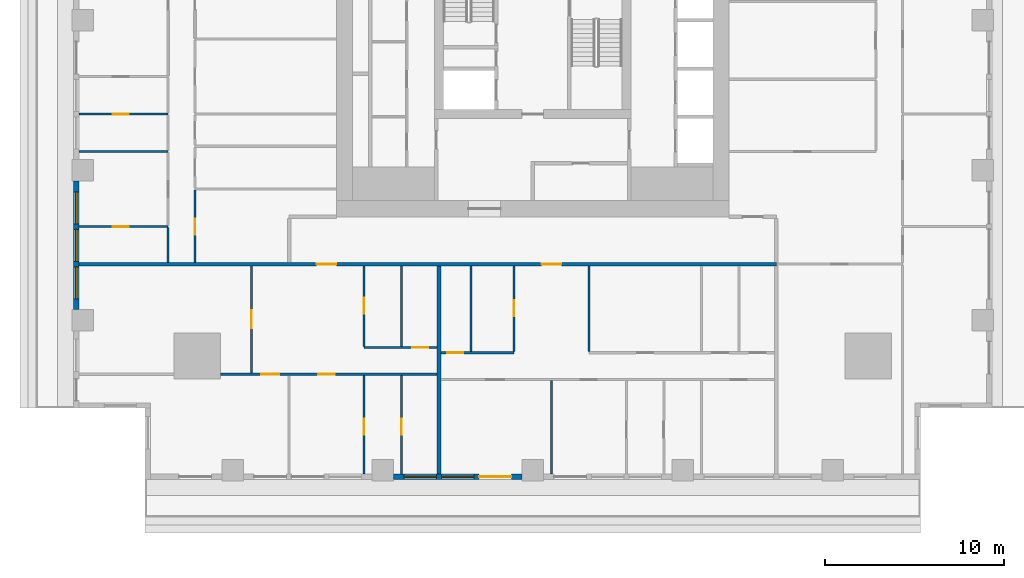
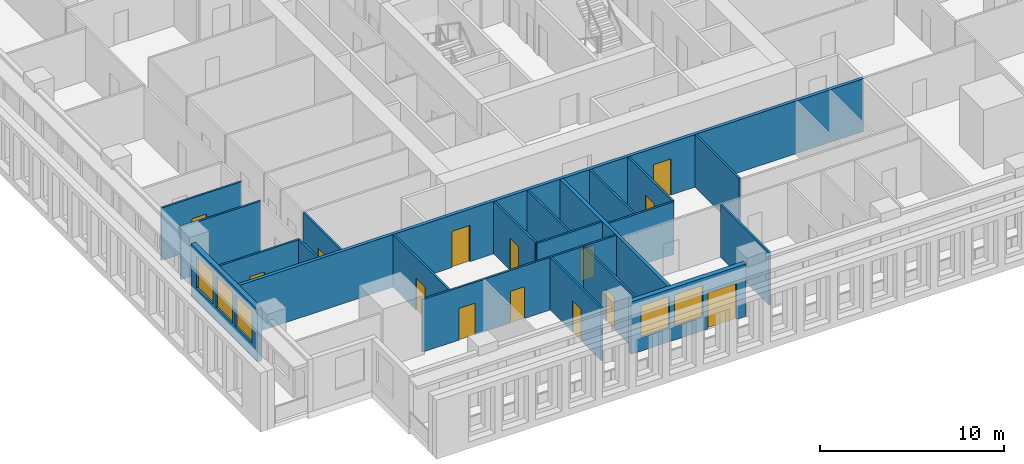
# One storey, part 2 of 16: 21 walls, 15 doors, 5 windows, 20 openings.
"""IFC4 building model written with IfcOpenShell, lengths in metres."""

from ifc_helpers import new_model, si_unit, direction, frame, frame_2d, origin, place, context, subcontext, project, spatial, rectangle, extrude, material, layer, layer_set, type_object, element, fill, save


model = new_model("IFC4")

# Units and contexts
model_context = context("Model", 3, precision=1e-05, world=origin(), true_north=direction((0.0, 1.0)))
body_context = subcontext(model_context, "Body", "Model", "MODEL_VIEW")
ifc_project = project(units=[si_unit("LENGTHUNIT", "METRE"), si_unit("AREAUNIT", "SQUARE_METRE"), si_unit("VOLUMEUNIT", "CUBIC_METRE"), si_unit("PLANEANGLEUNIT", "RADIAN"), si_unit("MASSUNIT", "GRAM", prefix="KILO")], contexts=[model_context])

# Site, building, storey
site_placement = place(None, origin())
site = spatial("IfcSite", under=ifc_project, at=site_placement, CompositionType="ELEMENT")
building_placement = place(site_placement, origin())
building = spatial("IfcBuilding", under=site, at=building_placement, Name="Khepri Terraces", CompositionType="ELEMENT")
storey_placement = place(building_placement, frame((0.0, 0.0, 137.699951171875)))
storey = spatial("IfcBuildingStorey", under=building, at=storey_placement, Name="L32", CompositionType="ELEMENT", Elevation=137.699951171875)

# Wall
ifc_material_1 = material(Name="Fire-rated gypsum plasterboard partition, mineral wool")
ifc_layer_1 = layer(ifc_material_1, 0.199951171875, Name="Fire-rated gypsum plasterboard partition, mineral wool")
ifc_layer_set_1 = layer_set([ifc_layer_1], Name="Fire-rated gypsum plasterboard partition, mineral wool")
wall_type_1 = type_object("IfcWallType", Name="WL-CORR-200", PredefinedType="PARTITIONING", material=ifc_layer_set_1)
wall_1_placement = place(storey_placement, frame((-5.25, -25.419921875, 0.0), z_axis=(0.0, 0.0, 1.0), x_axis=(0.0, 1.0, 0.0)))
element("IfcWall", 1, at=wall_1_placement, inside=storey, type_object=wall_type_1, Name="Partition P-004 L32", PredefinedType="PARTITIONING", context=body_context, shape_type="SweptSolid", body=[
    extrude(rectangle(XDim=11.669921875, YDim=0.199951171875, at=frame_2d((5.8349609375, 0.0))), origin(), (0.0, 0.0, 1.0), 3.47998046875),
])

# Wall, openings, doors
wall_2_placement = place(storey_placement, frame((-25.419921875, -13.64990234375, 0.0), z_axis=(0.0, 0.0, 1.0), x_axis=(1.0, 0.0, 0.0)))
wall_2 = element("IfcWall", 2, at=wall_2_placement, inside=storey, type_object=wall_type_1, Name="Partition P-025 L32", PredefinedType="PARTITIONING", context=body_context, shape_type="SweptSolid", body=[
    extrude(rectangle(XDim=39.06982421875, YDim=0.199951171875, at=frame_2d((19.534912109375, 0.0))), origin(), (0.0, 0.0, 1.0), 3.47998046875),
])
opening_1_placement = place(wall_2_placement, frame((13.320068359375, 0.0, 0.0)))
opening_1 = element("IfcOpeningElement", 3, at=opening_1_placement, cuts=wall_2, Name="Opening D1", PredefinedType="OPENING", context=body_context, shape_type="SweptSolid", body=[
    extrude(rectangle(XDim=1.10009765625, YDim=2.39990234375, at=frame_2d((0.550048828125, 1.199951171875))), frame((0.0, 0.10986328125, 0.0), z_axis=(0.0, -1.0, 0.0), x_axis=(1.0, 0.0, 0.0)), (0.0, 0.0, 1.0), 0.219970703125),
])
opening_2_placement = place(wall_2_placement, frame((25.919921875, 0.0, 0.0)))
opening_2 = element("IfcOpeningElement", 4, at=opening_2_placement, cuts=wall_2, Name="Opening D1", PredefinedType="OPENING", context=body_context, shape_type="SweptSolid", body=[
    extrude(rectangle(XDim=1.10009765625, YDim=2.39990234375, at=frame_2d((0.550048828125, 1.199951171875))), frame((0.0, 0.10986328125, 0.0), z_axis=(0.0, -1.0, 0.0), x_axis=(1.0, 0.0, 0.0)), (0.0, 0.0, 1.0), 0.219970703125),
])
ifc_material_2 = material(Name="Solid-core timber door leaf, flat entrance door", Category="wood")
door_type_1 = type_object("IfcDoorType", Name="DR-ENT-1100", OperationType="NOTDEFINED", PredefinedType="DOOR", material=ifc_material_2)
door_1_placement = place(opening_1_placement, frame((1.10009765625, 0.0, 0.0), z_axis=(0.0, 0.0, 1.0), x_axis=(-1.0, 0.0, 0.0)))
door_1 = element("IfcDoor", 5, at=door_1_placement, inside=storey, type_object=door_type_1, Name="Flat A1 entrance door", OperationType="SINGLE_SWING_RIGHT", OverallHeight=2.39990234375, OverallWidth=1.10009765625, PredefinedType="DOOR", context=body_context, shape_type="SweptSolid", body=[
    extrude(rectangle(XDim=1.10009765625, YDim=2.39990234375, at=frame_2d((0.550048828125, 1.199951171875))), frame((0.0, 0.02490234375, 0.0), z_axis=(0.0, -1.0, 0.0), x_axis=(1.0, 0.0, 0.0)), (0.0, 0.0, 1.0), 0.050048828125),
])
fill(opening_1, door_1)
door_2_placement = place(opening_2_placement, frame((1.10009765625, 0.0, 0.0), z_axis=(0.0, 0.0, 1.0), x_axis=(-1.0, 0.0, 0.0)))
door_2 = element("IfcDoor", 6, at=door_2_placement, inside=storey, type_object=door_type_1, Name="Flat A2 entrance door", OperationType="SINGLE_SWING_LEFT", OverallHeight=2.39990234375, OverallWidth=1.10009765625, PredefinedType="DOOR", context=body_context, shape_type="SweptSolid", body=[
    extrude(rectangle(XDim=1.10009765625, YDim=2.39990234375, at=frame_2d((0.550048828125, 1.199951171875))), frame((0.0, 0.02490234375, 0.0), z_axis=(0.0, -1.0, 0.0), x_axis=(1.0, 0.0, 0.0)), (0.0, 0.0, 1.0), 0.050048828125),
])
fill(opening_2, door_2)

# Wall, openings, windows
ifc_material_3 = material(Name="Precast concrete C50/60 warm stone", Category="masonry")
ifc_layer_2 = layer(ifc_material_3, 0.300048828125, Name="Precast concrete C50/60 warm stone", Category="masonry")
ifc_layer_set_2 = layer_set([ifc_layer_2], Name="Precast concrete C50/60 warm stone")
wall_type_2 = type_object("IfcWallType", Name="WL-EXT-PRECAST-300", PredefinedType="STANDARD", material=ifc_layer_set_2)
wall_3_placement = place(storey_placement, frame((-25.570068359375, -9.0, 0.0), z_axis=(0.0, 0.0, 1.0), x_axis=(0.0, -1.0, 0.0)))
wall_3 = element("IfcWall", 7, at=wall_3_placement, inside=storey, type_object=wall_type_2, Name="External wall L32 W", PredefinedType="STANDARD", context=body_context, shape_type="SweptSolid", body=[
    extrude(rectangle(XDim=7.199951171875, YDim=0.300048828125, at=frame_2d((3.60009765625, 0.0))), origin(), (0.0, 0.0, 1.0), 3.47998046875),
])
opening_3_placement = place(wall_3_placement, frame((0.60009765625, 0.0, 0.89990234375)))
opening_3 = element("IfcOpeningElement", 8, at=opening_3_placement, cuts=wall_3, Name="Opening W1", PredefinedType="OPENING", context=body_context, shape_type="SweptSolid", body=[
    extrude(rectangle(XDim=1.800048828125, YDim=2.10009765625, at=frame_2d((0.89990234375, 1.050048828125))), frame((0.0, 0.16015625, 0.0), z_axis=(0.0, -1.0, 0.0), x_axis=(1.0, 0.0, 0.0)), (0.0, 0.0, 1.0), 0.320068359375),
])
opening_4_placement = place(wall_3_placement, frame((2.699951171875, 0.0, 0.89990234375)))
opening_4 = element("IfcOpeningElement", 9, at=opening_4_placement, cuts=wall_3, Name="Opening W1", PredefinedType="OPENING", context=body_context, shape_type="SweptSolid", body=[
    extrude(rectangle(XDim=1.800048828125, YDim=2.10009765625, at=frame_2d((0.89990234375, 1.050048828125))), frame((0.0, 0.16015625, 0.0), z_axis=(0.0, -1.0, 0.0), x_axis=(1.0, 0.0, 0.0)), (0.0, 0.0, 1.0), 0.320068359375),
])
opening_5_placement = place(wall_3_placement, frame((4.800048828125, 0.0, 0.89990234375)))
opening_5 = element("IfcOpeningElement", 10, at=opening_5_placement, cuts=wall_3, Name="Opening W1", PredefinedType="OPENING", context=body_context, shape_type="SweptSolid", body=[
    extrude(rectangle(XDim=1.800048828125, YDim=2.10009765625, at=frame_2d((0.89990234375, 1.050048828125))), frame((0.0, 0.16015625, 0.0), z_axis=(0.0, -1.0, 0.0), x_axis=(1.0, 0.0, 0.0)), (0.0, 0.0, 1.0), 0.320068359375),
])
ifc_material_4 = material(Name="Clear glass", Category="glass")
window_type = type_object("IfcWindowType", Name="WIN-RES-1800x2100", PartitioningType="SINGLE_PANEL", PredefinedType="WINDOW", material=ifc_material_4)
window_1_placement = place(opening_3_placement, origin())
window_1 = element("IfcWindow", 11, at=window_1_placement, inside=storey, type_object=window_type, Name="Window L32 W", OverallHeight=2.10009765625, OverallWidth=1.800048828125, PartitioningType="SINGLE_PANEL", PredefinedType="WINDOW", context=body_context, shape_type="SweptSolid", body=[
    extrude(rectangle(XDim=1.800048828125, YDim=2.10009765625, at=frame_2d((0.89990234375, 1.050048828125))), frame((0.0, 0.030029296875, 0.0), z_axis=(0.0, -1.0, 0.0), x_axis=(1.0, 0.0, 0.0)), (0.0, 0.0, 1.0), 0.06005859375),
])
fill(opening_3, window_1)
window_2_placement = place(opening_4_placement, origin())
window_2 = element("IfcWindow", 12, at=window_2_placement, inside=storey, type_object=window_type, Name="Window L32 W", OverallHeight=2.10009765625, OverallWidth=1.800048828125, PartitioningType="SINGLE_PANEL", PredefinedType="WINDOW", context=body_context, shape_type="SweptSolid", body=[
    extrude(rectangle(XDim=1.800048828125, YDim=2.10009765625, at=frame_2d((0.89990234375, 1.050048828125))), frame((0.0, 0.030029296875, 0.0), z_axis=(0.0, -1.0, 0.0), x_axis=(1.0, 0.0, 0.0)), (0.0, 0.0, 1.0), 0.06005859375),
])
fill(opening_4, window_2)
window_3_placement = place(opening_5_placement, origin())
window_3 = element("IfcWindow", 13, at=window_3_placement, inside=storey, type_object=window_type, Name="Window L32 W", OverallHeight=2.10009765625, OverallWidth=1.800048828125, PartitioningType="SINGLE_PANEL", PredefinedType="WINDOW", context=body_context, shape_type="SweptSolid", body=[
    extrude(rectangle(XDim=1.800048828125, YDim=2.10009765625, at=frame_2d((0.89990234375, 1.050048828125))), frame((0.0, 0.030029296875, 0.0), z_axis=(0.0, -1.0, 0.0), x_axis=(1.0, 0.0, 0.0)), (0.0, 0.0, 1.0), 0.06005859375),
])
fill(opening_5, window_3)

# Wall, openings, door, windows
wall_4_placement = place(storey_placement, frame((-7.800048828125, -25.570068359375, 0.0), z_axis=(0.0, 0.0, 1.0), x_axis=(1.0, 0.0, 0.0)))
wall_4 = element("IfcWall", 14, at=wall_4_placement, inside=storey, type_object=wall_type_2, Name="External wall L32 S", PredefinedType="STANDARD", context=body_context, shape_type="SweptSolid", body=[
    extrude(rectangle(XDim=7.199951171875, YDim=0.300048828125, at=frame_2d((3.60009765625, 0.0))), origin(), (0.0, 0.0, 1.0), 3.47998046875),
])
opening_6_placement = place(wall_4_placement, frame((0.60009765625, 0.0, 0.89990234375)))
opening_6 = element("IfcOpeningElement", 15, at=opening_6_placement, cuts=wall_4, Name="Opening W1", PredefinedType="OPENING", context=body_context, shape_type="SweptSolid", body=[
    extrude(rectangle(XDim=1.800048828125, YDim=2.10009765625, at=frame_2d((0.89990234375, 1.050048828125))), frame((0.0, 0.16015625, 0.0), z_axis=(0.0, -1.0, 0.0), x_axis=(1.0, 0.0, 0.0)), (0.0, 0.0, 1.0), 0.320068359375),
])
opening_7_placement = place(wall_4_placement, frame((2.699951171875, 0.0, 0.89990234375)))
opening_7 = element("IfcOpeningElement", 16, at=opening_7_placement, cuts=wall_4, Name="Opening W1", PredefinedType="OPENING", context=body_context, shape_type="SweptSolid", body=[
    extrude(rectangle(XDim=1.800048828125, YDim=2.10009765625, at=frame_2d((0.89990234375, 1.050048828125))), frame((0.0, 0.16015625, 0.0), z_axis=(0.0, -1.0, 0.0), x_axis=(1.0, 0.0, 0.0)), (0.0, 0.0, 1.0), 0.320068359375),
])
opening_8_placement = place(wall_4_placement, frame((4.800048828125, 0.0, 0.0)))
opening_8 = element("IfcOpeningElement", 17, at=opening_8_placement, cuts=wall_4, Name="Opening ED-L32-21", PredefinedType="OPENING", context=body_context, shape_type="SweptSolid", body=[
    extrude(rectangle(XDim=1.800048828125, YDim=2.39990234375, at=frame_2d((0.89990234375, 1.199951171875))), frame((0.0, 0.16015625, 0.0), z_axis=(0.0, -1.0, 0.0), x_axis=(1.0, 0.0, 0.0)), (0.0, 0.0, 1.0), 0.320068359375),
])
ifc_material_5 = material(Name="Anodised aluminium bronze glazed door", Category="aluminium")
door_type_2 = type_object("IfcDoorType", Name="DR-BAL-SLIDE-1800x2400", OperationType="NOTDEFINED", PredefinedType="DOOR", material=ifc_material_5)
door_3_placement = place(opening_8_placement, origin())
door_3 = element("IfcDoor", 18, at=door_3_placement, inside=storey, type_object=door_type_2, Name="Balcony door L32 S", OperationType="SLIDING_TO_RIGHT", OverallHeight=2.39990234375, OverallWidth=1.800048828125, PredefinedType="DOOR", context=body_context, shape_type="SweptSolid", body=[
    extrude(rectangle(XDim=1.800048828125, YDim=2.39990234375, at=frame_2d((0.89990234375, 1.199951171875))), frame((0.0, 0.02490234375, 0.0), z_axis=(0.0, -1.0, 0.0), x_axis=(1.0, 0.0, 0.0)), (0.0, 0.0, 1.0), 0.050048828125),
])
fill(opening_8, door_3)
window_4_placement = place(opening_6_placement, origin())
window_4 = element("IfcWindow", 19, at=window_4_placement, inside=storey, type_object=window_type, Name="Window L32 S", OverallHeight=2.10009765625, OverallWidth=1.800048828125, PartitioningType="SINGLE_PANEL", PredefinedType="WINDOW", context=body_context, shape_type="SweptSolid", body=[
    extrude(rectangle(XDim=1.800048828125, YDim=2.10009765625, at=frame_2d((0.89990234375, 1.050048828125))), frame((0.0, 0.030029296875, 0.0), z_axis=(0.0, -1.0, 0.0), x_axis=(1.0, 0.0, 0.0)), (0.0, 0.0, 1.0), 0.06005859375),
])
fill(opening_6, window_4)
window_5_placement = place(opening_7_placement, origin())
window_5 = element("IfcWindow", 20, at=window_5_placement, inside=storey, type_object=window_type, Name="Window L32 S", OverallHeight=2.10009765625, OverallWidth=1.800048828125, PartitioningType="SINGLE_PANEL", PredefinedType="WINDOW", context=body_context, shape_type="SweptSolid", body=[
    extrude(rectangle(XDim=1.800048828125, YDim=2.10009765625, at=frame_2d((0.89990234375, 1.050048828125))), frame((0.0, 0.030029296875, 0.0), z_axis=(0.0, -1.0, 0.0), x_axis=(1.0, 0.0, 0.0)), (0.0, 0.0, 1.0), 0.06005859375),
])
fill(opening_7, window_5)

# Wall, opening, door
ifc_material_6 = material(Name="Gypsum plasterboard partition")
ifc_layer_3 = layer(ifc_material_6, 0.1201171875, Name="Gypsum plasterboard partition")
ifc_layer_set_3 = layer_set([ifc_layer_3], Name="Gypsum plasterboard partition")
wall_type_3 = type_object("IfcWallType", Name="WL-PART-120", PredefinedType="PARTITIONING", material=ifc_layer_set_3)
wall_5_placement = place(storey_placement, frame((-9.449951171875, -25.419921875, 0.0), z_axis=(0.0, 0.0, 1.0), x_axis=(0.0, 1.0, 0.0)))
wall_5 = element("IfcWall", 21, at=wall_5_placement, inside=storey, type_object=wall_type_3, Name="Partition P-002 L32", PredefinedType="PARTITIONING", context=body_context, shape_type="SweptSolid", body=[
    extrude(rectangle(XDim=5.5400390625, YDim=0.1201171875, at=frame_2d((2.77001953125, 0.0))), origin(), (0.0, 0.0, 1.0), 3.47998046875),
])
opening_9_placement = place(wall_5_placement, frame((2.199951171875, 0.0, 0.0)))
opening_9 = element("IfcOpeningElement", 22, at=opening_9_placement, cuts=wall_5, Name="Opening D3", PredefinedType="OPENING", context=body_context, shape_type="SweptSolid", body=[
    extrude(rectangle(XDim=0.89990234375, YDim=2.10009765625, at=frame_2d((0.449951171875, 1.050048828125))), frame((0.0, 0.070068359375, 0.0), z_axis=(0.0, -1.0, 0.0), x_axis=(1.0, 0.0, 0.0)), (0.0, 0.0, 1.0), 0.14013671875),
])
ifc_material_7 = material(Name="Timber door leaf", Category="wood")
door_type_3 = type_object("IfcDoorType", Name="DR-INT-900", OperationType="NOTDEFINED", PredefinedType="DOOR", material=ifc_material_7)
door_4_placement = place(opening_9_placement, frame((0.89990234375, 0.0, 0.0), z_axis=(0.0, 0.0, 1.0), x_axis=(-1.0, 0.0, 0.0)))
door_4 = element("IfcDoor", 23, at=door_4_placement, inside=storey, type_object=door_type_3, Name="Door Dressing Room", OperationType="SINGLE_SWING_RIGHT", OverallHeight=2.10009765625, OverallWidth=0.89990234375, PredefinedType="DOOR", context=body_context, shape_type="SweptSolid", body=[
    extrude(rectangle(XDim=0.89990234375, YDim=2.10009765625, at=frame_2d((0.449951171875, 1.050048828125))), frame((0.0, 0.02490234375, 0.0), z_axis=(0.0, -1.0, 0.0), x_axis=(1.0, 0.0, 0.0)), (0.0, 0.0, 1.0), 0.050048828125),
])
fill(opening_9, door_4)

wall_6_placement = place(storey_placement, frame((-7.35009765625, -25.419921875, 0.0), z_axis=(0.0, 0.0, 1.0), x_axis=(0.0, 1.0, 0.0)))
wall_6 = element("IfcWall", 24, at=wall_6_placement, inside=storey, type_object=wall_type_3, Name="Partition P-003 L32", PredefinedType="PARTITIONING", context=body_context, shape_type="SweptSolid", body=[
    extrude(rectangle(XDim=5.5400390625, YDim=0.1201171875, at=frame_2d((2.77001953125, 0.0))), origin(), (0.0, 0.0, 1.0), 3.47998046875),
])
opening_10_placement = place(wall_6_placement, frame((2.199951171875, 0.0, 0.0)))
opening_10 = element("IfcOpeningElement", 25, at=opening_10_placement, cuts=wall_6, Name="Opening D4", PredefinedType="OPENING", context=body_context, shape_type="SweptSolid", body=[
    extrude(rectangle(XDim=0.89990234375, YDim=2.10009765625, at=frame_2d((0.449951171875, 1.050048828125))), frame((0.0, 0.070068359375, 0.0), z_axis=(0.0, -1.0, 0.0), x_axis=(1.0, 0.0, 0.0)), (0.0, 0.0, 1.0), 0.14013671875),
])
ifc_material_8 = material(Name="Timber door leaf, moisture resistant", Category="wood")
door_type_4 = type_object("IfcDoorType", Name="DR-WET-900", OperationType="NOTDEFINED", PredefinedType="DOOR", material=ifc_material_8)
door_5_placement = place(opening_10_placement, frame((0.89990234375, 0.0, 0.0), z_axis=(0.0, 0.0, 1.0), x_axis=(-1.0, 0.0, 0.0)))
door_5 = element("IfcDoor", 26, at=door_5_placement, inside=storey, type_object=door_type_4, Name="Door Bathroom", OperationType="SINGLE_SWING_RIGHT", OverallHeight=2.10009765625, OverallWidth=0.89990234375, PredefinedType="DOOR", context=body_context, shape_type="SweptSolid", body=[
    extrude(rectangle(XDim=0.89990234375, YDim=2.10009765625, at=frame_2d((0.449951171875, 1.050048828125))), frame((0.0, 0.02490234375, 0.0), z_axis=(0.0, -1.0, 0.0), x_axis=(1.0, 0.0, 0.0)), (0.0, 0.0, 1.0), 0.050048828125),
])
fill(opening_10, door_5)

# Wall
wall_7_placement = place(storey_placement, frame((1.050048828125, -25.419921875, 0.0), z_axis=(0.0, 0.0, 1.0), x_axis=(0.0, 1.0, 0.0)))
element("IfcWall", 27, at=wall_7_placement, inside=storey, type_object=wall_type_3, Name="Partition P-005 L32", PredefinedType="PARTITIONING", context=body_context, shape_type="SweptSolid", body=[
    extrude(rectangle(XDim=5.239990234375, YDim=0.1201171875, at=frame_2d((2.6201171875, 0.0))), origin(), (0.0, 0.0, 1.0), 3.47998046875),
])

# Wall, openings, doors
wall_8_placement = place(storey_placement, frame((-17.5, -19.820068359375, 0.0), z_axis=(0.0, 0.0, 1.0), x_axis=(1.0, 0.0, 0.0)))
wall_8 = element("IfcWall", 28, at=wall_8_placement, inside=storey, type_object=wall_type_3, Name="Partition P-013 L32", PredefinedType="PARTITIONING", context=body_context, shape_type="SweptSolid", body=[
    extrude(rectangle(XDim=12.14990234375, YDim=0.1201171875, at=frame_2d((6.074951171875, 0.0))), origin(), (0.0, 0.0, 1.0), 3.47998046875),
])
opening_11_placement = place(wall_8_placement, frame((2.300048828125, 0.0, 0.0)))
opening_11 = element("IfcOpeningElement", 29, at=opening_11_placement, cuts=wall_8, Name="Opening D2", PredefinedType="OPENING", context=body_context, shape_type="SweptSolid", body=[
    extrude(rectangle(XDim=1.0, YDim=2.10009765625, at=frame_2d((0.5, 1.050048828125))), frame((0.0, 0.070068359375, 0.0), z_axis=(0.0, -1.0, 0.0), x_axis=(1.0, 0.0, 0.0)), (0.0, 0.0, 1.0), 0.14013671875),
])
opening_12_placement = place(wall_8_placement, frame((5.5, 0.0, 0.0)))
opening_12 = element("IfcOpeningElement", 30, at=opening_12_placement, cuts=wall_8, Name="Opening D3", PredefinedType="OPENING", context=body_context, shape_type="SweptSolid", body=[
    extrude(rectangle(XDim=0.89990234375, YDim=2.10009765625, at=frame_2d((0.449951171875, 1.050048828125))), frame((0.0, 0.070068359375, 0.0), z_axis=(0.0, -1.0, 0.0), x_axis=(1.0, 0.0, 0.0)), (0.0, 0.0, 1.0), 0.14013671875),
])
ifc_material_9 = material(Name="Timber door leaf, living room door", Category="wood")
door_type_5 = type_object("IfcDoorType", Name="DR-INT-1000", OperationType="NOTDEFINED", PredefinedType="DOOR", material=ifc_material_9)
door_6_placement = place(opening_11_placement, frame((1.0, 0.0, 0.0), z_axis=(0.0, 0.0, 1.0), x_axis=(-1.0, 0.0, 0.0)))
door_6 = element("IfcDoor", 31, at=door_6_placement, inside=storey, type_object=door_type_5, Name="Door Living Room", OperationType="SINGLE_SWING_RIGHT", OverallHeight=2.10009765625, OverallWidth=1.0, PredefinedType="DOOR", context=body_context, shape_type="SweptSolid", body=[
    extrude(rectangle(XDim=1.0, YDim=2.10009765625, at=frame_2d((0.5, 1.050048828125))), frame((0.0, 0.02490234375, 0.0), z_axis=(0.0, -1.0, 0.0), x_axis=(1.0, 0.0, 0.0)), (0.0, 0.0, 1.0), 0.050048828125),
])
fill(opening_11, door_6)
door_7_placement = place(opening_12_placement, frame((0.89990234375, 0.0, 0.0), z_axis=(0.0, 0.0, 1.0), x_axis=(-1.0, 0.0, 0.0)))
door_7 = element("IfcDoor", 32, at=door_7_placement, inside=storey, type_object=door_type_3, Name="Door Master Bedroom", OperationType="SINGLE_SWING_RIGHT", OverallHeight=2.10009765625, OverallWidth=0.89990234375, PredefinedType="DOOR", context=body_context, shape_type="SweptSolid", body=[
    extrude(rectangle(XDim=0.89990234375, YDim=2.10009765625, at=frame_2d((0.449951171875, 1.050048828125))), frame((0.0, 0.02490234375, 0.0), z_axis=(0.0, -1.0, 0.0), x_axis=(1.0, 0.0, 0.0)), (0.0, 0.0, 1.0), 0.050048828125),
])
fill(opening_12, door_7)

# Wall, opening, door
wall_9_placement = place(storey_placement, frame((-15.75, -19.760009765625, 0.0), z_axis=(0.0, 0.0, 1.0), x_axis=(0.0, 1.0, 0.0)))
wall_9 = element("IfcWall", 33, at=wall_9_placement, inside=storey, type_object=wall_type_3, Name="Partition P-014 L32", PredefinedType="PARTITIONING", context=body_context, shape_type="SweptSolid", body=[
    extrude(rectangle(XDim=6.010009765625, YDim=0.1201171875, at=frame_2d((3.0048828125, 0.0))), origin(), (0.0, 0.0, 1.0), 3.47998046875),
])
opening_13_placement = place(wall_9_placement, frame((2.52490234375, 0.0, 0.0)))
opening_13 = element("IfcOpeningElement", 34, at=opening_13_placement, cuts=wall_9, Name="Opening D2", PredefinedType="OPENING", context=body_context, shape_type="SweptSolid", body=[
    extrude(rectangle(XDim=1.0, YDim=2.10009765625, at=frame_2d((0.5, 1.050048828125))), frame((0.0, 0.070068359375, 0.0), z_axis=(0.0, -1.0, 0.0), x_axis=(1.0, 0.0, 0.0)), (0.0, 0.0, 1.0), 0.14013671875),
])
door_8_placement = place(opening_13_placement, origin())
door_8 = element("IfcDoor", 35, at=door_8_placement, inside=storey, type_object=door_type_5, Name="Door Family Room", OperationType="SINGLE_SWING_RIGHT", OverallHeight=2.10009765625, OverallWidth=1.0, PredefinedType="DOOR", context=body_context, shape_type="SweptSolid", body=[
    extrude(rectangle(XDim=1.0, YDim=2.10009765625, at=frame_2d((0.5, 1.050048828125))), frame((0.0, 0.02490234375, 0.0), z_axis=(0.0, -1.0, 0.0), x_axis=(1.0, 0.0, 0.0)), (0.0, 0.0, 1.0), 0.050048828125),
])
fill(opening_13, door_8)

wall_10_placement = place(storey_placement, frame((-5.14990234375, -18.6201171875, 0.0), z_axis=(0.0, 0.0, 1.0), x_axis=(1.0, 0.0, 0.0)))
wall_10 = element("IfcWall", 36, at=wall_10_placement, inside=storey, type_object=wall_type_3, Name="Partition P-015 L32", PredefinedType="PARTITIONING", context=body_context, shape_type="SweptSolid", body=[
    extrude(rectangle(XDim=4.099853515625, YDim=0.1201171875, at=frame_2d((2.0498046875, 0.0))), origin(), (0.0, 0.0, 1.0), 3.47998046875),
])
opening_14_placement = place(wall_10_placement, frame((0.35009765625, 0.0, 0.0)))
opening_14 = element("IfcOpeningElement", 37, at=opening_14_placement, cuts=wall_10, Name="Opening D4", PredefinedType="OPENING", context=body_context, shape_type="SweptSolid", body=[
    extrude(rectangle(XDim=0.89990234375, YDim=2.10009765625, at=frame_2d((0.449951171875, 1.050048828125))), frame((0.0, 0.070068359375, 0.0), z_axis=(0.0, -1.0, 0.0), x_axis=(1.0, 0.0, 0.0)), (0.0, 0.0, 1.0), 0.14013671875),
])
door_9_placement = place(opening_14_placement, origin())
door_9 = element("IfcDoor", 38, at=door_9_placement, inside=storey, type_object=door_type_4, Name="Door Powder Room", OperationType="SINGLE_SWING_LEFT", OverallHeight=2.10009765625, OverallWidth=0.89990234375, PredefinedType="DOOR", context=body_context, shape_type="SweptSolid", body=[
    extrude(rectangle(XDim=0.89990234375, YDim=2.10009765625, at=frame_2d((0.449951171875, 1.050048828125))), frame((0.0, 0.02490234375, 0.0), z_axis=(0.0, -1.0, 0.0), x_axis=(1.0, 0.0, 0.0)), (0.0, 0.0, 1.0), 0.050048828125),
])
fill(opening_14, door_9)

# Wall
wall_11_placement = place(storey_placement, frame((-3.449951171875, -18.56005859375, 0.0), z_axis=(0.0, 0.0, 1.0), x_axis=(0.0, 1.0, 0.0)))
element("IfcWall", 39, at=wall_11_placement, inside=storey, type_object=wall_type_3, Name="Partition P-017 L32", PredefinedType="PARTITIONING", context=body_context, shape_type="SweptSolid", body=[
    extrude(rectangle(XDim=4.81005859375, YDim=0.1201171875, at=frame_2d((2.405029296875, 0.0))), origin(), (0.0, 0.0, 1.0), 3.47998046875),
])

# Wall, opening, door
wall_12_placement = place(storey_placement, frame((-1.050048828125, -18.56005859375, 0.0), z_axis=(0.0, 0.0, 1.0), x_axis=(0.0, 1.0, 0.0)))
wall_12 = element("IfcWall", 40, at=wall_12_placement, inside=storey, type_object=wall_type_3, Name="Partition P-018 L32", PredefinedType="PARTITIONING", context=body_context, shape_type="SweptSolid", body=[
    extrude(rectangle(XDim=4.81005859375, YDim=0.1201171875, at=frame_2d((2.405029296875, 0.0))), origin(), (0.0, 0.0, 1.0), 3.47998046875),
])
opening_15_placement = place(wall_12_placement, frame((1.97509765625, 0.0, 0.0)))
opening_15 = element("IfcOpeningElement", 41, at=opening_15_placement, cuts=wall_12, Name="Opening D4", PredefinedType="OPENING", context=body_context, shape_type="SweptSolid", body=[
    extrude(rectangle(XDim=0.89990234375, YDim=2.10009765625, at=frame_2d((0.449951171875, 1.050048828125))), frame((0.0, 0.070068359375, 0.0), z_axis=(0.0, -1.0, 0.0), x_axis=(1.0, 0.0, 0.0)), (0.0, 0.0, 1.0), 0.14013671875),
])
door_10_placement = place(opening_15_placement, origin())
door_10 = element("IfcDoor", 42, at=door_10_placement, inside=storey, type_object=door_type_4, Name="Door Guest Bathroom", OperationType="SINGLE_SWING_RIGHT", OverallHeight=2.10009765625, OverallWidth=0.89990234375, PredefinedType="DOOR", context=body_context, shape_type="SweptSolid", body=[
    extrude(rectangle(XDim=0.89990234375, YDim=2.10009765625, at=frame_2d((0.449951171875, 1.050048828125))), frame((0.0, 0.02490234375, 0.0), z_axis=(0.0, -1.0, 0.0), x_axis=(1.0, 0.0, 0.0)), (0.0, 0.0, 1.0), 0.050048828125),
])
fill(opening_15, door_10)

# Wall
wall_13_placement = place(storey_placement, frame((3.14990234375, -18.56005859375, 0.0), z_axis=(0.0, 0.0, 1.0), x_axis=(0.0, 1.0, 0.0)))
element("IfcWall", 43, at=wall_13_placement, inside=storey, type_object=wall_type_3, Name="Partition P-019 L32", PredefinedType="PARTITIONING", context=body_context, shape_type="SweptSolid", body=[
    extrude(rectangle(XDim=4.81005859375, YDim=0.1201171875, at=frame_2d((2.405029296875, 0.0))), origin(), (0.0, 0.0, 1.0), 3.47998046875),
])

# Wall, opening, door
wall_14_placement = place(storey_placement, frame((-9.449951171875, -18.320068359375, 0.0), z_axis=(0.0, 0.0, 1.0), x_axis=(1.0, 0.0, 0.0)))
wall_14 = element("IfcWall", 44, at=wall_14_placement, inside=storey, type_object=wall_type_3, Name="Partition P-022 L32", PredefinedType="PARTITIONING", context=body_context, shape_type="SweptSolid", body=[
    extrude(rectangle(XDim=4.099853515625, YDim=0.1201171875, at=frame_2d((2.0498046875, 0.0))), origin(), (0.0, 0.0, 1.0), 3.47998046875),
])
opening_16_placement = place(wall_14_placement, frame((2.699951171875, 0.0, 0.0)))
opening_16 = element("IfcOpeningElement", 45, at=opening_16_placement, cuts=wall_14, Name="Opening D3", PredefinedType="OPENING", context=body_context, shape_type="SweptSolid", body=[
    extrude(rectangle(XDim=0.89990234375, YDim=2.10009765625, at=frame_2d((0.449951171875, 1.050048828125))), frame((0.0, 0.070068359375, 0.0), z_axis=(0.0, -1.0, 0.0), x_axis=(1.0, 0.0, 0.0)), (0.0, 0.0, 1.0), 0.14013671875),
])
door_11_placement = place(opening_16_placement, origin())
door_11 = element("IfcDoor", 46, at=door_11_placement, inside=storey, type_object=door_type_3, Name="Door Kitchen", OperationType="SINGLE_SWING_RIGHT", OverallHeight=2.10009765625, OverallWidth=0.89990234375, PredefinedType="DOOR", context=body_context, shape_type="SweptSolid", body=[
    extrude(rectangle(XDim=0.89990234375, YDim=2.10009765625, at=frame_2d((0.449951171875, 1.050048828125))), frame((0.0, 0.02490234375, 0.0), z_axis=(0.0, -1.0, 0.0), x_axis=(1.0, 0.0, 0.0)), (0.0, 0.0, 1.0), 0.050048828125),
])
fill(opening_16, door_11)

wall_15_placement = place(storey_placement, frame((-9.449951171875, -18.260009765625, 0.0), z_axis=(0.0, 0.0, 1.0), x_axis=(0.0, 1.0, 0.0)))
wall_15 = element("IfcWall", 47, at=wall_15_placement, inside=storey, type_object=wall_type_3, Name="Partition P-023 L32", PredefinedType="PARTITIONING", context=body_context, shape_type="SweptSolid", body=[
    extrude(rectangle(XDim=4.510009765625, YDim=0.1201171875, at=frame_2d((2.2548828125, 0.0))), origin(), (0.0, 0.0, 1.0), 3.47998046875),
])
opening_17_placement = place(wall_15_placement, frame((1.824951171875, 0.0, 0.0)))
opening_17 = element("IfcOpeningElement", 48, at=opening_17_placement, cuts=wall_15, Name="Opening D4", PredefinedType="OPENING", context=body_context, shape_type="SweptSolid", body=[
    extrude(rectangle(XDim=0.89990234375, YDim=2.10009765625, at=frame_2d((0.449951171875, 1.050048828125))), frame((0.0, 0.070068359375, 0.0), z_axis=(0.0, -1.0, 0.0), x_axis=(1.0, 0.0, 0.0)), (0.0, 0.0, 1.0), 0.14013671875),
])
door_12_placement = place(opening_17_placement, frame((0.89990234375, 0.0, 0.0), z_axis=(0.0, 0.0, 1.0), x_axis=(-1.0, 0.0, 0.0)))
door_12 = element("IfcDoor", 49, at=door_12_placement, inside=storey, type_object=door_type_4, Name="Door Guest Bathroom", OperationType="SINGLE_SWING_LEFT", OverallHeight=2.10009765625, OverallWidth=0.89990234375, PredefinedType="DOOR", context=body_context, shape_type="SweptSolid", body=[
    extrude(rectangle(XDim=0.89990234375, YDim=2.10009765625, at=frame_2d((0.449951171875, 1.050048828125))), frame((0.0, 0.02490234375, 0.0), z_axis=(0.0, -1.0, 0.0), x_axis=(1.0, 0.0, 0.0)), (0.0, 0.0, 1.0), 0.050048828125),
])
fill(opening_17, door_12)

# Walls
wall_16_placement = place(storey_placement, frame((-7.35009765625, -18.260009765625, 0.0), z_axis=(0.0, 0.0, 1.0), x_axis=(0.0, 1.0, 0.0)))
element("IfcWall", 50, at=wall_16_placement, inside=storey, type_object=wall_type_3, Name="Partition P-024 L32", PredefinedType="PARTITIONING", context=body_context, shape_type="SweptSolid", body=[
    extrude(rectangle(XDim=4.510009765625, YDim=0.1201171875, at=frame_2d((2.2548828125, 0.0))), origin(), (0.0, 0.0, 1.0), 3.47998046875),
])
wall_17_placement = place(storey_placement, frame((-20.419921875, -13.550048828125, 0.0), z_axis=(0.0, 0.0, 1.0), x_axis=(0.0, 1.0, 0.0)))
element("IfcWall", 51, at=wall_17_placement, inside=storey, type_object=wall_type_3, Name="Partition P-028 L32", PredefinedType="PARTITIONING", context=body_context, shape_type="SweptSolid", body=[
    extrude(rectangle(XDim=1.93994140625, YDim=0.1201171875, at=frame_2d((0.969970703125, 0.0))), origin(), (0.0, 0.0, 1.0), 3.47998046875),
])

# Wall, opening, door
wall_18_placement = place(storey_placement, frame((-18.919921875, -13.550048828125, 0.0), z_axis=(0.0, 0.0, 1.0), x_axis=(0.0, 1.0, 0.0)))
wall_18 = element("IfcWall", 52, at=wall_18_placement, inside=storey, type_object=wall_type_3, Name="Partition P-029 L32", PredefinedType="PARTITIONING", context=body_context, shape_type="SweptSolid", body=[
    extrude(rectangle(XDim=4.0400390625, YDim=0.1201171875, at=frame_2d((2.02001953125, 0.0))), origin(), (0.0, 0.0, 1.0), 3.47998046875),
])
opening_18_placement = place(wall_18_placement, frame((1.550048828125, 0.0, 0.0)))
opening_18 = element("IfcOpeningElement", 53, at=opening_18_placement, cuts=wall_18, Name="Opening D3", PredefinedType="OPENING", context=body_context, shape_type="SweptSolid", body=[
    extrude(rectangle(XDim=0.89990234375, YDim=2.10009765625, at=frame_2d((0.449951171875, 1.050048828125))), frame((0.0, 0.070068359375, 0.0), z_axis=(0.0, -1.0, 0.0), x_axis=(1.0, 0.0, 0.0)), (0.0, 0.0, 1.0), 0.14013671875),
])
door_13_placement = place(opening_18_placement, frame((0.89990234375, 0.0, 0.0), z_axis=(0.0, 0.0, 1.0), x_axis=(-1.0, 0.0, 0.0)))
door_13 = element("IfcDoor", 54, at=door_13_placement, inside=storey, type_object=door_type_3, Name="Door Library", OperationType="SINGLE_SWING_RIGHT", OverallHeight=2.10009765625, OverallWidth=0.89990234375, PredefinedType="DOOR", context=body_context, shape_type="SweptSolid", body=[
    extrude(rectangle(XDim=0.89990234375, YDim=2.10009765625, at=frame_2d((0.449951171875, 1.050048828125))), frame((0.0, 0.02490234375, 0.0), z_axis=(0.0, -1.0, 0.0), x_axis=(1.0, 0.0, 0.0)), (0.0, 0.0, 1.0), 0.050048828125),
])
fill(opening_18, door_13)

wall_19_placement = place(storey_placement, frame((-25.419921875, -11.550048828125, 0.0), z_axis=(0.0, 0.0, 1.0), x_axis=(1.0, 0.0, 0.0)))
wall_19 = element("IfcWall", 55, at=wall_19_placement, inside=storey, type_object=wall_type_3, Name="Partition P-032 L32", PredefinedType="PARTITIONING", context=body_context, shape_type="SweptSolid", body=[
    extrude(rectangle(XDim=5.0, YDim=0.1201171875, at=frame_2d((2.5, 0.0))), origin(), (0.0, 0.0, 1.0), 3.47998046875),
])
opening_19_placement = place(wall_19_placement, frame((1.89990234375, 0.0, 0.0)))
opening_19 = element("IfcOpeningElement", 56, at=opening_19_placement, cuts=wall_19, Name="Opening D4", PredefinedType="OPENING", context=body_context, shape_type="SweptSolid", body=[
    extrude(rectangle(XDim=0.89990234375, YDim=2.10009765625, at=frame_2d((0.449951171875, 1.050048828125))), frame((0.0, 0.070068359375, 0.0), z_axis=(0.0, -1.0, 0.0), x_axis=(1.0, 0.0, 0.0)), (0.0, 0.0, 1.0), 0.14013671875),
])
door_14_placement = place(opening_19_placement, frame((0.89990234375, 0.0, 0.0), z_axis=(0.0, 0.0, 1.0), x_axis=(-1.0, 0.0, 0.0)))
door_14 = element("IfcDoor", 57, at=door_14_placement, inside=storey, type_object=door_type_4, Name="Door Bathroom", OperationType="SINGLE_SWING_RIGHT", OverallHeight=2.10009765625, OverallWidth=0.89990234375, PredefinedType="DOOR", context=body_context, shape_type="SweptSolid", body=[
    extrude(rectangle(XDim=0.89990234375, YDim=2.10009765625, at=frame_2d((0.449951171875, 1.050048828125))), frame((0.0, 0.02490234375, 0.0), z_axis=(0.0, -1.0, 0.0), x_axis=(1.0, 0.0, 0.0)), (0.0, 0.0, 1.0), 0.050048828125),
])
fill(opening_19, door_14)

# Wall
wall_20_placement = place(storey_placement, frame((-25.419921875, -7.35009765625, 0.0), z_axis=(0.0, 0.0, 1.0), x_axis=(1.0, 0.0, 0.0)))
element("IfcWall", 58, at=wall_20_placement, inside=storey, type_object=wall_type_3, Name="Partition P-040 L32", PredefinedType="PARTITIONING", context=body_context, shape_type="SweptSolid", body=[
    extrude(rectangle(XDim=5.0, YDim=0.1201171875, at=frame_2d((2.5, 0.0))), origin(), (0.0, 0.0, 1.0), 3.47998046875),
])

# Wall, opening, door
wall_21_placement = place(storey_placement, frame((-25.419921875, -5.25, 0.0), z_axis=(0.0, 0.0, 1.0), x_axis=(1.0, 0.0, 0.0)))
wall_21 = element("IfcWall", 59, at=wall_21_placement, inside=storey, type_object=wall_type_3, Name="Partition P-046 L32", PredefinedType="PARTITIONING", context=body_context, shape_type="SweptSolid", body=[
    extrude(rectangle(XDim=5.0, YDim=0.1201171875, at=frame_2d((2.5, 0.0))), origin(), (0.0, 0.0, 1.0), 3.47998046875),
])
opening_20_placement = place(wall_21_placement, frame((1.89990234375, 0.0, 0.0)))
opening_20 = element("IfcOpeningElement", 60, at=opening_20_placement, cuts=wall_21, Name="Opening D4", PredefinedType="OPENING", context=body_context, shape_type="SweptSolid", body=[
    extrude(rectangle(XDim=0.89990234375, YDim=2.10009765625, at=frame_2d((0.449951171875, 1.050048828125))), frame((0.0, 0.070068359375, 0.0), z_axis=(0.0, -1.0, 0.0), x_axis=(1.0, 0.0, 0.0)), (0.0, 0.0, 1.0), 0.14013671875),
])
door_15_placement = place(opening_20_placement, frame((0.89990234375, 0.0, 0.0), z_axis=(0.0, 0.0, 1.0), x_axis=(-1.0, 0.0, 0.0)))
door_15 = element("IfcDoor", 61, at=door_15_placement, inside=storey, type_object=door_type_4, Name="Door Bathroom", OperationType="SINGLE_SWING_RIGHT", OverallHeight=2.10009765625, OverallWidth=0.89990234375, PredefinedType="DOOR", context=body_context, shape_type="SweptSolid", body=[
    extrude(rectangle(XDim=0.89990234375, YDim=2.10009765625, at=frame_2d((0.449951171875, 1.050048828125))), frame((0.0, 0.02490234375, 0.0), z_axis=(0.0, -1.0, 0.0), x_axis=(1.0, 0.0, 0.0)), (0.0, 0.0, 1.0), 0.050048828125),
])
fill(opening_20, door_15)

save(model, "model.ifc")
